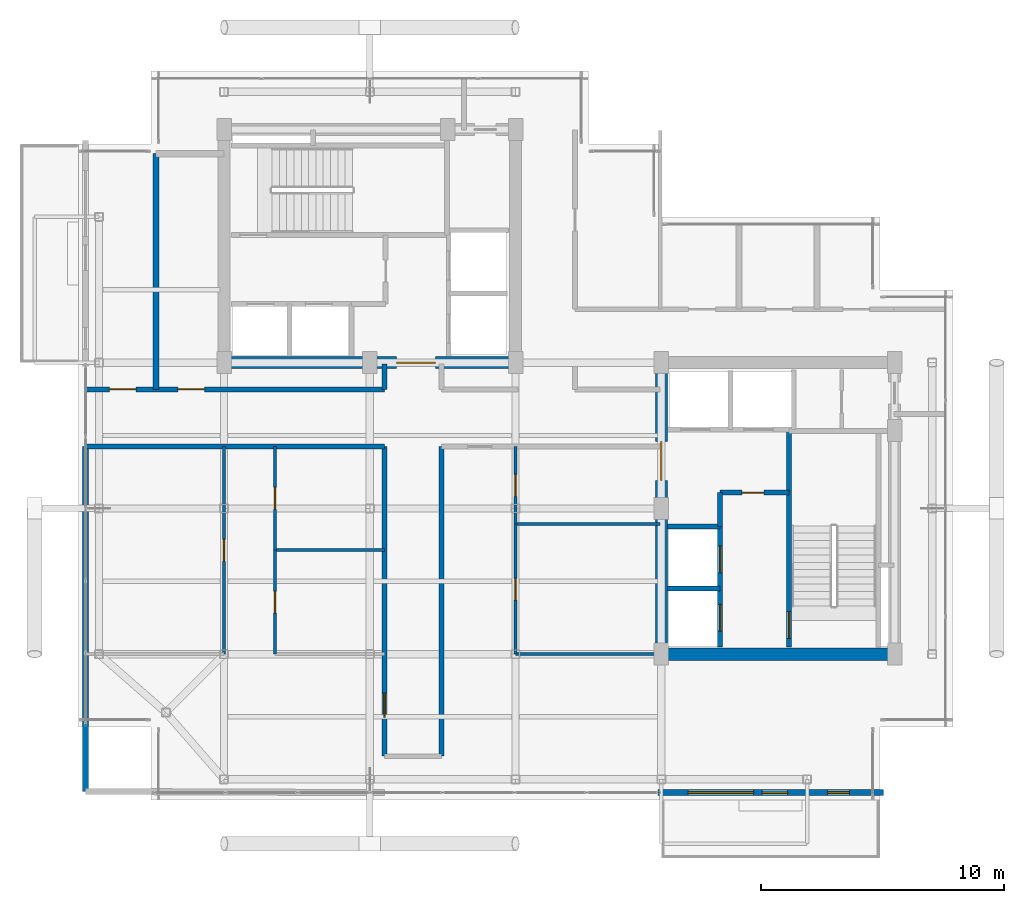
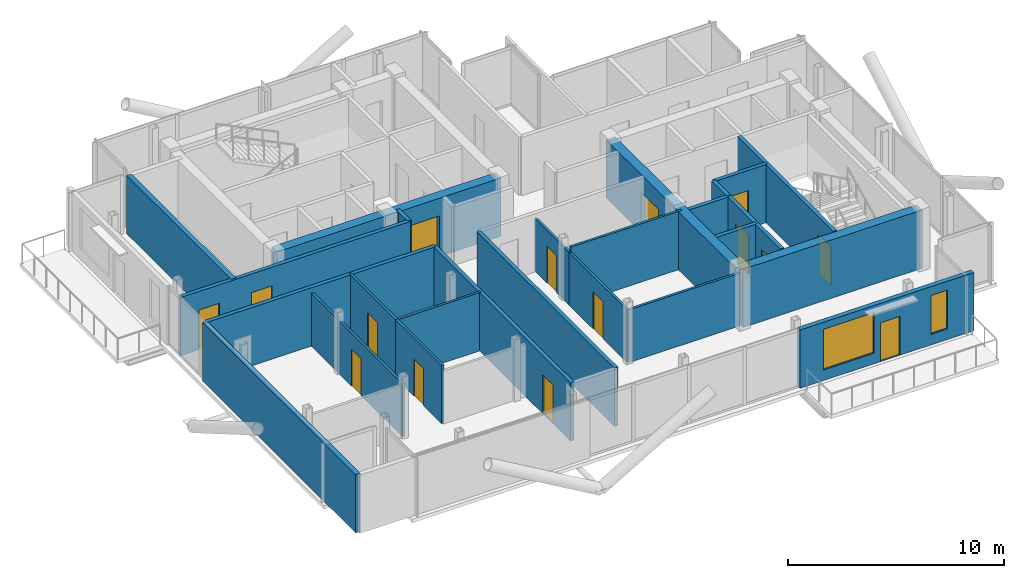
# One storey, part 14 of 18: 25 walls, 15 doors, 2 windows, 17 openings.
"""IFC4 building model written with IfcOpenShell, lengths in metres."""

from ifc_helpers import new_model, si_unit, direction, frame, frame_2d, origin, place, context, subcontext, project, spatial, rectangle, extrude, material, layer, layer_set, type_object, element, fill, save


model = new_model("IFC4")

# Units and contexts
model_context = context("Model", 3, precision=1e-05, world=origin(), true_north=direction((0.0, 1.0)))
body_context = subcontext(model_context, "Body", "Model", "MODEL_VIEW")
ifc_project = project(units=[si_unit("LENGTHUNIT", "METRE"), si_unit("AREAUNIT", "SQUARE_METRE"), si_unit("VOLUMEUNIT", "CUBIC_METRE"), si_unit("PLANEANGLEUNIT", "RADIAN"), si_unit("MASSUNIT", "GRAM", prefix="KILO"), si_unit("THERMODYNAMICTEMPERATUREUNIT", "KELVIN"), si_unit("POWERUNIT", "WATT")], contexts=[model_context])

# Site, building, storey
site_placement = place(None, origin())
site = spatial("IfcSite", under=ifc_project, at=site_placement, CompositionType="ELEMENT")
building_placement = place(site_placement, origin())
building = spatial("IfcBuilding", under=site, at=building_placement, Name="Svarakhadi Broadcast Tower", CompositionType="ELEMENT")
storey_placement = place(building_placement, frame((0.0, 0.0, 246.699951171875)))
storey = spatial("IfcBuildingStorey", under=building, at=storey_placement, Name="L61", CompositionType="ELEMENT", Elevation=246.699951171875)

# Wall, opening, door
ifc_material_1 = material(Name="Double-Stud Acoustic Studio Partition STC-62", Category="gypsum")
ifc_layer_1 = layer(ifc_material_1, 0.199951171875)
ifc_layer_set_1 = layer_set([ifc_layer_1], Name="Double-Stud Acoustic Studio Partition STC-62")
wall_type_1 = type_object("IfcWallType", Name="Wall_Acoust_200", PredefinedType="PARTITIONING", material=ifc_layer_set_1)
wall_1_placement = place(storey_placement, frame((12.60009765625, 1.800048828125, 0.0), z_axis=(0.0, 0.0, 1.0), x_axis=(0.0, 1.0, 0.0)))
wall_1 = element("IfcWall", 1, at=wall_1_placement, inside=storey, type_object=wall_type_1, Name="L61 Upper Tower Concourse Wall", PredefinedType="PARTITIONING", context=body_context, shape_type="SweptSolid", body=[
    extrude(rectangle(XDim=12.75, YDim=0.199951171875, at=frame_2d((6.375, 0.0))), origin(), (0.0, 0.0, 1.0), 3.300048828125),
])
opening_1_placement = place(wall_1_placement, frame((1.60009765625, 0.0, 0.0)))
opening_1 = element("IfcOpeningElement", 2, at=opening_1_placement, cuts=wall_1, Name="Opening D-09", PredefinedType="OPENING", context=body_context, shape_type="SweptSolid", body=[
    extrude(rectangle(XDim=1.0, YDim=2.199951171875, at=frame_2d((0.5, 1.10009765625))), frame((0.0, 0.10986328125, 0.0), z_axis=(0.0, -1.0, 0.0), x_axis=(1.0, 0.0, 0.0)), (0.0, 0.0, 1.0), 0.219970703125),
])
ifc_material_2 = material(Name="Solid-Core Teak Veneer Acoustic Timber Leaf", Category="wood")
door_type_1 = type_object("IfcDoorType", Name="Door_Suite_D09", OperationType="SINGLE_SWING_RIGHT", PredefinedType="DOOR", material=ifc_material_2)
door_1_placement = place(opening_1_placement, origin())
door_1 = element("IfcDoor", 3, at=door_1_placement, inside=storey, type_object=door_type_1, Name="L61 Apartment A Entrance Door", OperationType="SINGLE_SWING_RIGHT", OverallHeight=2.199951171875, OverallWidth=1.0, PredefinedType="DOOR", context=body_context, shape_type="SweptSolid", body=[
    extrude(rectangle(XDim=1.0, YDim=2.199951171875, at=frame_2d((0.5, 1.10009765625))), frame((0.0, 0.02490234375, 0.0), z_axis=(0.0, -1.0, 0.0), x_axis=(1.0, 0.0, 0.0)), (0.0, 0.0, 1.0), 0.050048828125),
])
fill(opening_1, door_1)

# Wall
wall_2_placement = place(storey_placement, frame((12.60009765625, 14.550048828125, 0.0), z_axis=(0.0, 0.0, 1.0), x_axis=(-1.0, 0.0, 0.0)))
element("IfcWall", 4, at=wall_2_placement, inside=storey, type_object=wall_type_1, Name="L61 Upper Tower Concourse Wall", PredefinedType="PARTITIONING", context=body_context, shape_type="SweptSolid", body=[
    extrude(rectangle(XDim=12.300048828125, YDim=0.199951171875, at=frame_2d((6.14990234375, 0.0))), origin(), (0.0, 0.0, 1.0), 3.300048828125),
])

# Wall, openings, doors
wall_3_placement = place(storey_placement, frame((0.300048828125, 16.89990234375, 0.0), z_axis=(0.0, 0.0, 1.0), x_axis=(1.0, 0.0, 0.0)))
wall_3 = element("IfcWall", 5, at=wall_3_placement, inside=storey, type_object=wall_type_1, Name="L61 Upper Tower Concourse Wall", PredefinedType="PARTITIONING", context=body_context, shape_type="SweptSolid", body=[
    extrude(rectangle(XDim=12.300048828125, YDim=0.199951171875, at=frame_2d((6.14990234375, 0.0))), origin(), (0.0, 0.0, 1.0), 3.300048828125),
])
opening_2_placement = place(wall_3_placement, frame((0.97509765625, 0.0, 0.0)))
opening_2 = element("IfcOpeningElement", 6, at=opening_2_placement, cuts=wall_3, Name="Opening D-11", PredefinedType="OPENING", context=body_context, shape_type="SweptSolid", body=[
    extrude(rectangle(XDim=1.10009765625, YDim=2.25, at=frame_2d((0.550048828125, 1.125))), frame((0.0, 0.10986328125, 0.0), z_axis=(0.0, -1.0, 0.0), x_axis=(1.0, 0.0, 0.0)), (0.0, 0.0, 1.0), 0.219970703125),
])
opening_3_placement = place(wall_3_placement, frame((3.800048828125, 0.0, 0.0)))
opening_3 = element("IfcOpeningElement", 7, at=opening_3_placement, cuts=wall_3, Name="Opening D-10", PredefinedType="OPENING", context=body_context, shape_type="SweptSolid", body=[
    extrude(rectangle(XDim=1.10009765625, YDim=2.25, at=frame_2d((0.550048828125, 1.125))), frame((0.0, 0.10986328125, 0.0), z_axis=(0.0, -1.0, 0.0), x_axis=(1.0, 0.0, 0.0)), (0.0, 0.0, 1.0), 0.219970703125),
])
door_type_2 = type_object("IfcDoorType", Name="Door_Acoust_D10", OperationType="SINGLE_SWING_LEFT", PredefinedType="DOOR", material=ifc_material_2)
door_2_placement = place(opening_3_placement, origin())
door_2 = element("IfcDoor", 8, at=door_2_placement, inside=storey, type_object=door_type_2, Name="L61 Residents Study Office Door", OperationType="SINGLE_SWING_LEFT", OverallHeight=2.25, OverallWidth=1.10009765625, PredefinedType="DOOR", context=body_context, shape_type="SweptSolid", body=[
    extrude(rectangle(XDim=1.10009765625, YDim=2.25, at=frame_2d((0.550048828125, 1.125))), frame((0.0, 0.02490234375, 0.0), z_axis=(0.0, -1.0, 0.0), x_axis=(1.0, 0.0, 0.0)), (0.0, 0.0, 1.0), 0.050048828125),
])
fill(opening_3, door_2)
door_type_3 = type_object("IfcDoorType", Name="Door_Acoust_D11", OperationType="SINGLE_SWING_RIGHT", PredefinedType="DOOR", material=ifc_material_2)
door_3_placement = place(opening_2_placement, origin())
door_3 = element("IfcDoor", 9, at=door_3_placement, inside=storey, type_object=door_type_3, Name="L61 Setback Garden Residents Lounge Door", OperationType="SINGLE_SWING_RIGHT", OverallHeight=2.25, OverallWidth=1.10009765625, PredefinedType="DOOR", context=body_context, shape_type="SweptSolid", body=[
    extrude(rectangle(XDim=1.10009765625, YDim=2.25, at=frame_2d((0.550048828125, 1.125))), frame((0.0, 0.02490234375, 0.0), z_axis=(0.0, -1.0, 0.0), x_axis=(1.0, 0.0, 0.0)), (0.0, 0.0, 1.0), 0.050048828125),
])
fill(opening_2, door_3)

# Walls
wall_4_placement = place(storey_placement, frame((12.60009765625, 16.89990234375, 0.0), z_axis=(0.0, 0.0, 1.0), x_axis=(0.0, 1.0, 0.0)))
element("IfcWall", 10, at=wall_4_placement, inside=storey, type_object=wall_type_1, Name="L61 Upper Tower Concourse Wall", PredefinedType="PARTITIONING", context=body_context, shape_type="SweptSolid", body=[
    extrude(rectangle(XDim=1.050048828125, YDim=0.199951171875, at=frame_2d((0.52490234375, 0.0))), origin(), (0.0, 0.0, 1.0), 3.300048828125),
])
wall_5_placement = place(storey_placement, frame((14.949951171875, 14.550048828125, 0.0), z_axis=(0.0, 0.0, 1.0), x_axis=(0.0, -1.0, 0.0)))
element("IfcWall", 11, at=wall_5_placement, inside=storey, type_object=wall_type_1, Name="L61 Upper Tower Concourse Wall", PredefinedType="PARTITIONING", context=body_context, shape_type="SweptSolid", body=[
    extrude(rectangle(XDim=12.75, YDim=0.199951171875, at=frame_2d((6.375, 0.0))), origin(), (0.0, 0.0, 1.0), 3.300048828125),
])
ifc_layer_2 = layer(ifc_material_1, 0.25)
ifc_layer_set_2 = layer_set([ifc_layer_2], Name="Double-Stud Acoustic Studio Partition STC-62")
wall_type_2 = type_object("IfcWallType", Name="Wall_Acoust_250", PredefinedType="PARTITIONING", material=ifc_layer_set_2)
wall_6_placement = place(storey_placement, frame((0.300048828125, 0.35009765625, 0.0), z_axis=(0.0, 0.0, 1.0), x_axis=(0.0, 1.0, 0.0)))
element("IfcWall", 12, at=wall_6_placement, inside=storey, type_object=wall_type_2, Name="L61 Apartment A Wall", PredefinedType="PARTITIONING", context=body_context, shape_type="SweptSolid", body=[
    extrude(rectangle(XDim=14.199951171875, YDim=0.25, at=frame_2d((7.10009765625, 0.0))), origin(), (0.0, 0.0, 1.0), 3.300048828125),
])
wall_7_placement = place(storey_placement, frame((3.199951171875, 16.89990234375, 0.0), z_axis=(0.0, 0.0, 1.0), x_axis=(0.0, 1.0, 0.0)))
element("IfcWall", 13, at=wall_7_placement, inside=storey, type_object=wall_type_2, Name="L61 Setback Garden Residents Lounge Wall", PredefinedType="PARTITIONING", context=body_context, shape_type="SweptSolid", body=[
    extrude(rectangle(XDim=9.7001953125, YDim=0.25, at=frame_2d((4.85009765625, 0.0))), origin(), (0.0, 0.0, 1.0), 3.300048828125),
])

# Wall, openings, door, windows
ifc_material_3 = material(Name="Concrete C40/50 (IS 456 M50)", Category="concrete")
ifc_layer_3 = layer(ifc_material_3, 0.239990234375)
ifc_layer_set_3 = layer_set([ifc_layer_3], Name="Concrete C40/50 (IS 456 M50)")
wall_type_3 = type_object("IfcWallType", Name="Wall_Ext_240", PredefinedType="SOLIDWALL", material=ifc_layer_set_3)
wall_8_placement = place(storey_placement, frame((33.14501953125, 0.300048828125, 0.0), z_axis=(0.0, 0.0, 1.0), x_axis=(-1.0, 0.0, 0.0)))
wall_8 = element("IfcWall", 14, at=wall_8_placement, inside=storey, type_object=wall_type_3, Name="L61 South Tree Balcony Spandrel Wall", PredefinedType="SOLIDWALL", context=body_context, shape_type="SweptSolid", body=[
    extrude(rectangle(XDim=9.2900390625, YDim=0.239990234375, at=frame_2d((4.64501953125, 0.0))), origin(), (0.0, 0.0, 1.0), 3.300048828125),
])
opening_4_placement = place(wall_8_placement, frame((3.945068359375, 0.0, 0.0)))
opening_4 = element("IfcOpeningElement", 15, at=opening_4_placement, cuts=wall_8, Name="Opening ED-05", PredefinedType="OPENING", context=body_context, shape_type="SweptSolid", body=[
    extrude(rectangle(XDim=1.050048828125, YDim=2.199951171875, at=frame_2d((0.52490234375, 1.10009765625))), frame((0.0, 0.1298828125, 0.0), z_axis=(0.0, -1.0, 0.0), x_axis=(1.0, 0.0, 0.0)), (0.0, 0.0, 1.0), 0.260009765625),
])
opening_5_placement = place(wall_8_placement, frame((5.344970703125, 0.0, 0.60009765625)))
opening_5 = element("IfcOpeningElement", 16, at=opening_5_placement, cuts=wall_8, Name="Opening WN-07", PredefinedType="OPENING", context=body_context, shape_type="SweptSolid", body=[
    extrude(rectangle(XDim=2.699951171875, YDim=2.300048828125, at=frame_2d((1.35009765625, 1.14990234375))), frame((0.0, 0.1298828125, 0.0), z_axis=(0.0, -1.0, 0.0), x_axis=(1.0, 0.0, 0.0)), (0.0, 0.0, 1.0), 0.260009765625),
])
opening_6_placement = place(wall_8_placement, frame((1.39990234375, 0.0, 0.60009765625)))
opening_6 = element("IfcOpeningElement", 17, at=opening_6_placement, cuts=wall_8, Name="Opening WN-04", PredefinedType="OPENING", context=body_context, shape_type="SweptSolid", body=[
    extrude(rectangle(XDim=0.89990234375, YDim=2.199951171875, at=frame_2d((0.449951171875, 1.10009765625))), frame((0.0, 0.1298828125, 0.0), z_axis=(0.0, -1.0, 0.0), x_axis=(1.0, 0.0, 0.0)), (0.0, 0.0, 1.0), 0.260009765625),
])
ifc_material_4 = material(Name="Anodised Bronze Aluminium AA 6063-T6", Category="aluminium")
door_type_4 = type_object("IfcDoorType", Name="Door_Ext_ED05", OperationType="SINGLE_SWING_LEFT", PredefinedType="DOOR", material=ifc_material_4)
door_4_placement = place(opening_4_placement, origin())
door_4 = element("IfcDoor", 18, at=door_4_placement, inside=storey, type_object=door_type_4, Name="L61 South Tree Balcony Door", OperationType="SINGLE_SWING_LEFT", OverallHeight=2.199951171875, OverallWidth=1.050048828125, PredefinedType="DOOR", context=body_context, shape_type="SweptSolid", body=[
    extrude(rectangle(XDim=1.050048828125, YDim=2.199951171875, at=frame_2d((0.52490234375, 1.10009765625))), frame((0.0, 0.02490234375, 0.0), z_axis=(0.0, -1.0, 0.0), x_axis=(1.0, 0.0, 0.0)), (0.0, 0.0, 1.0), 0.050048828125),
])
fill(opening_4, door_4)
ifc_material_5 = material(Name="Double Low-E Laminated Acoustic Glass IGU 36 mm", Category="glass")
window_type_1 = type_object("IfcWindowType", Name="Win_Resi_WN07", PartitioningType="SINGLE_PANEL", PredefinedType="WINDOW", material=ifc_material_5)
window_1_placement = place(opening_5_placement, origin())
window_1 = element("IfcWindow", 19, at=window_1_placement, inside=storey, type_object=window_type_1, Name="L61 South Tree Balcony Window", OverallHeight=2.300048828125, OverallWidth=2.699951171875, PartitioningType="SINGLE_PANEL", PredefinedType="WINDOW", context=body_context, shape_type="SweptSolid", body=[
    extrude(rectangle(XDim=2.699951171875, YDim=2.300048828125, at=frame_2d((1.35009765625, 1.14990234375))), frame((0.0, 0.030029296875, 0.0), z_axis=(0.0, -1.0, 0.0), x_axis=(1.0, 0.0, 0.0)), (0.0, 0.0, 1.0), 0.06005859375),
])
fill(opening_5, window_1)
window_type_2 = type_object("IfcWindowType", Name="Win_Slot_WN04", PartitioningType="SINGLE_PANEL", PredefinedType="WINDOW", material=ifc_material_5)
window_2_placement = place(opening_6_placement, origin())
window_2 = element("IfcWindow", 20, at=window_2_placement, inside=storey, type_object=window_type_2, Name="L61 South Primary Bedroom Slot Window", OverallHeight=2.199951171875, OverallWidth=0.89990234375, PartitioningType="SINGLE_PANEL", PredefinedType="WINDOW", context=body_context, shape_type="SweptSolid", body=[
    extrude(rectangle(XDim=0.89990234375, YDim=2.199951171875, at=frame_2d((0.449951171875, 1.10009765625))), frame((0.0, 0.030029296875, 0.0), z_axis=(0.0, -1.0, 0.0), x_axis=(1.0, 0.0, 0.0)), (0.0, 0.0, 1.0), 0.06005859375),
])
fill(opening_6, window_2)

# Wall
ifc_material_6 = material(Name="Fire-Rated Moisture-Resistant Gypsum Board Partition", Category="gypsum")
ifc_layer_4 = layer(ifc_material_6, 0.125)
ifc_layer_set_4 = layer_set([ifc_layer_4], Name="Fire-Rated Moisture-Resistant Gypsum Board Partition")
wall_type_4 = type_object("IfcWallType", Name="Wall_Part_125", PredefinedType="PARTITIONING", material=ifc_layer_set_4)
wall_9_placement = place(storey_placement, frame((8.10009765625, 10.280029296875, 0.0), z_axis=(0.0, 0.0, 1.0), x_axis=(1.0, 0.0, 0.0)))
element("IfcWall", 21, at=wall_9_placement, inside=storey, type_object=wall_type_4, Name="L61 Apartment A Kitchen Wall", PredefinedType="PARTITIONING", context=body_context, shape_type="SweptSolid", body=[
    extrude(rectangle(XDim=4.5, YDim=0.125, at=frame_2d((2.25, 0.0))), origin(), (0.0, 0.0, 1.0), 3.300048828125),
])

# Wall, opening, door
wall_10_placement = place(storey_placement, frame((8.10009765625, 6.0, 0.0), z_axis=(0.0, 0.0, 1.0), x_axis=(0.0, 1.0, 0.0)))
wall_10 = element("IfcWall", 22, at=wall_10_placement, inside=storey, type_object=wall_type_4, Name="L61 Apartment A Kitchen Wall", PredefinedType="PARTITIONING", context=body_context, shape_type="SweptSolid", body=[
    extrude(rectangle(XDim=4.280029296875, YDim=0.125, at=frame_2d((2.14013671875, 0.0))), origin(), (0.0, 0.0, 1.0), 3.300048828125),
])
opening_7_placement = place(wall_10_placement, frame((1.68994140625, 0.0, 0.0)))
opening_7 = element("IfcOpeningElement", 23, at=opening_7_placement, cuts=wall_10, Name="Opening D-15", PredefinedType="OPENING", context=body_context, shape_type="SweptSolid", body=[
    extrude(rectangle(XDim=0.89990234375, YDim=2.10009765625, at=frame_2d((0.449951171875, 1.050048828125))), frame((0.0, 0.072509765625, 0.0), z_axis=(0.0, -1.0, 0.0), x_axis=(1.0, 0.0, 0.0)), (0.0, 0.0, 1.0), 0.14501953125),
])
door_type_5 = type_object("IfcDoorType", Name="Door_Int_D15", OperationType="SINGLE_SWING_RIGHT", PredefinedType="DOOR", material=ifc_material_2)
door_5_placement = place(opening_7_placement, origin())
door_5 = element("IfcDoor", 24, at=door_5_placement, inside=storey, type_object=door_type_5, Name="L61 Apartment A Kitchen Door", OperationType="SINGLE_SWING_RIGHT", OverallHeight=2.10009765625, OverallWidth=0.89990234375, PredefinedType="DOOR", context=body_context, shape_type="SweptSolid", body=[
    extrude(rectangle(XDim=0.89990234375, YDim=2.10009765625, at=frame_2d((0.449951171875, 1.050048828125))), frame((0.0, 0.02490234375, 0.0), z_axis=(0.0, -1.0, 0.0), x_axis=(1.0, 0.0, 0.0)), (0.0, 0.0, 1.0), 0.050048828125),
])
fill(opening_7, door_5)

wall_11_placement = place(storey_placement, frame((8.10009765625, 10.280029296875, 0.0), z_axis=(0.0, 0.0, 1.0), x_axis=(0.0, 1.0, 0.0)))
wall_11 = element("IfcWall", 25, at=wall_11_placement, inside=storey, type_object=wall_type_4, Name="L61 Apartment A Bathroom Wall", PredefinedType="PARTITIONING", context=body_context, shape_type="SweptSolid", body=[
    extrude(rectangle(XDim=4.27001953125, YDim=0.125, at=frame_2d((2.135009765625, 0.0))), origin(), (0.0, 0.0, 1.0), 3.300048828125),
])
opening_8_placement = place(wall_11_placement, frame((1.68505859375, 0.0, 0.0)))
opening_8 = element("IfcOpeningElement", 26, at=opening_8_placement, cuts=wall_11, Name="Opening D-12", PredefinedType="OPENING", context=body_context, shape_type="SweptSolid", body=[
    extrude(rectangle(XDim=0.89990234375, YDim=2.10009765625, at=frame_2d((0.449951171875, 1.050048828125))), frame((0.0, 0.072509765625, 0.0), z_axis=(0.0, -1.0, 0.0), x_axis=(1.0, 0.0, 0.0)), (0.0, 0.0, 1.0), 0.14501953125),
])
door_type_6 = type_object("IfcDoorType", Name="Door_WC_D01", OperationType="SINGLE_SWING_LEFT", PredefinedType="DOOR", material=ifc_material_2)
door_6_placement = place(opening_8_placement, origin())
door_6 = element("IfcDoor", 27, at=door_6_placement, inside=storey, type_object=door_type_6, Name="L61 Apartment A Bathroom Door", OperationType="SINGLE_SWING_LEFT", OverallHeight=2.10009765625, OverallWidth=0.89990234375, PredefinedType="DOOR", context=body_context, shape_type="SweptSolid", body=[
    extrude(rectangle(XDim=0.89990234375, YDim=2.10009765625, at=frame_2d((0.449951171875, 1.050048828125))), frame((0.0, 0.02490234375, 0.0), z_axis=(0.0, -1.0, 0.0), x_axis=(1.0, 0.0, 0.0)), (0.0, 0.0, 1.0), 0.050048828125),
])
fill(opening_8, door_6)

wall_12_placement = place(storey_placement, frame((6.0, 6.0, 0.0), z_axis=(0.0, 0.0, 1.0), x_axis=(0.0, 1.0, 0.0)))
wall_12 = element("IfcWall", 28, at=wall_12_placement, inside=storey, type_object=wall_type_4, Name="L61 Apartment A Primary Bedroom Wall", PredefinedType="PARTITIONING", context=body_context, shape_type="SweptSolid", body=[
    extrude(rectangle(XDim=8.550048828125, YDim=0.125, at=frame_2d((4.27490234375, 0.0))), origin(), (0.0, 0.0, 1.0), 2.991943359375),
])
opening_9_placement = place(wall_12_placement, frame((3.824951171875, 0.0, 0.0)))
opening_9 = element("IfcOpeningElement", 29, at=opening_9_placement, cuts=wall_12, Name="Opening D-14", PredefinedType="OPENING", context=body_context, shape_type="SweptSolid", body=[
    extrude(rectangle(XDim=0.89990234375, YDim=2.10009765625, at=frame_2d((0.449951171875, 1.050048828125))), frame((0.0, 0.072509765625, 0.0), z_axis=(0.0, -1.0, 0.0), x_axis=(1.0, 0.0, 0.0)), (0.0, 0.0, 1.0), 0.14501953125),
])
door_type_7 = type_object("IfcDoorType", Name="Door_Int_D14", OperationType="SINGLE_SWING_LEFT", PredefinedType="DOOR", material=ifc_material_2)
door_7_placement = place(opening_9_placement, origin())
door_7 = element("IfcDoor", 30, at=door_7_placement, inside=storey, type_object=door_type_7, Name="L61 Apartment A Bedroom Door", OperationType="SINGLE_SWING_LEFT", OverallHeight=2.10009765625, OverallWidth=0.89990234375, PredefinedType="DOOR", context=body_context, shape_type="SweptSolid", body=[
    extrude(rectangle(XDim=0.89990234375, YDim=2.10009765625, at=frame_2d((0.449951171875, 1.050048828125))), frame((0.0, 0.02490234375, 0.0), z_axis=(0.0, -1.0, 0.0), x_axis=(1.0, 0.0, 0.0)), (0.0, 0.0, 1.0), 0.050048828125),
])
fill(opening_9, door_7)

# Walls
wall_13_placement = place(storey_placement, frame((18.0, 6.0, 0.0), z_axis=(0.0, 0.0, 1.0), x_axis=(1.0, 0.0, 0.0)))
element("IfcWall", 31, at=wall_13_placement, inside=storey, type_object=wall_type_4, Name="L61 Studio B Kitchen Wall", PredefinedType="PARTITIONING", context=body_context, shape_type="SweptSolid", body=[
    extrude(rectangle(XDim=5.949951171875, YDim=0.125, at=frame_2d((2.97509765625, 0.0))), origin(), (0.0, 0.0, 1.0), 2.991943359375),
])
wall_14_placement = place(storey_placement, frame((18.0, 11.35009765625, 0.0), z_axis=(0.0, 0.0, 1.0), x_axis=(1.0, 0.0, 0.0)))
element("IfcWall", 32, at=wall_14_placement, inside=storey, type_object=wall_type_4, Name="L61 Studio B Kitchen Wall", PredefinedType="PARTITIONING", context=body_context, shape_type="SweptSolid", body=[
    extrude(rectangle(XDim=5.949951171875, YDim=0.125, at=frame_2d((2.97509765625, 0.0))), origin(), (0.0, 0.0, 1.0), 3.300048828125),
])

# Wall, opening, door
wall_15_placement = place(storey_placement, frame((18.0, 6.0, 0.0), z_axis=(0.0, 0.0, 1.0), x_axis=(0.0, 1.0, 0.0)))
wall_15 = element("IfcWall", 33, at=wall_15_placement, inside=storey, type_object=wall_type_4, Name="L61 Studio B Kitchen Wall", PredefinedType="PARTITIONING", context=body_context, shape_type="SweptSolid", body=[
    extrude(rectangle(XDim=5.35009765625, YDim=0.125, at=frame_2d((2.675048828125, 0.0))), origin(), (0.0, 0.0, 1.0), 2.991943359375),
])
opening_10_placement = place(wall_15_placement, frame((2.22509765625, 0.0, 0.0)))
opening_10 = element("IfcOpeningElement", 34, at=opening_10_placement, cuts=wall_15, Name="Opening D-14", PredefinedType="OPENING", context=body_context, shape_type="SweptSolid", body=[
    extrude(rectangle(XDim=0.89990234375, YDim=2.10009765625, at=frame_2d((0.449951171875, 1.050048828125))), frame((0.0, 0.072509765625, 0.0), z_axis=(0.0, -1.0, 0.0), x_axis=(1.0, 0.0, 0.0)), (0.0, 0.0, 1.0), 0.14501953125),
])
door_8_placement = place(opening_10_placement, origin())
door_8 = element("IfcDoor", 35, at=door_8_placement, inside=storey, type_object=door_type_7, Name="L61 Studio B Kitchen Door", OperationType="SINGLE_SWING_LEFT", OverallHeight=2.10009765625, OverallWidth=0.89990234375, PredefinedType="DOOR", context=body_context, shape_type="SweptSolid", body=[
    extrude(rectangle(XDim=0.89990234375, YDim=2.10009765625, at=frame_2d((0.449951171875, 1.050048828125))), frame((0.0, 0.02490234375, 0.0), z_axis=(0.0, -1.0, 0.0), x_axis=(1.0, 0.0, 0.0)), (0.0, 0.0, 1.0), 0.050048828125),
])
fill(opening_10, door_8)

wall_16_placement = place(storey_placement, frame((18.0, 11.35009765625, 0.0), z_axis=(0.0, 0.0, 1.0), x_axis=(0.0, 1.0, 0.0)))
wall_16 = element("IfcWall", 36, at=wall_16_placement, inside=storey, type_object=wall_type_4, Name="L61 Studio B Bathroom Wall", PredefinedType="PARTITIONING", context=body_context, shape_type="SweptSolid", body=[
    extrude(rectangle(XDim=3.199951171875, YDim=0.125, at=frame_2d((1.60009765625, 0.0))), origin(), (0.0, 0.0, 1.0), 2.991943359375),
])
opening_11_placement = place(wall_16_placement, frame((1.14990234375, 0.0, 0.0)))
opening_11 = element("IfcOpeningElement", 37, at=opening_11_placement, cuts=wall_16, Name="Opening D-13", PredefinedType="OPENING", context=body_context, shape_type="SweptSolid", body=[
    extrude(rectangle(XDim=0.89990234375, YDim=2.10009765625, at=frame_2d((0.449951171875, 1.050048828125))), frame((0.0, 0.072509765625, 0.0), z_axis=(0.0, -1.0, 0.0), x_axis=(1.0, 0.0, 0.0)), (0.0, 0.0, 1.0), 0.14501953125),
])
door_type_8 = type_object("IfcDoorType", Name="Door_Closet_D13", OperationType="SINGLE_SWING_RIGHT", PredefinedType="DOOR", material=ifc_material_2)
door_9_placement = place(opening_11_placement, origin())
door_9 = element("IfcDoor", 38, at=door_9_placement, inside=storey, type_object=door_type_8, Name="L61 Studio B Bathroom Door", OperationType="SINGLE_SWING_RIGHT", OverallHeight=2.10009765625, OverallWidth=0.89990234375, PredefinedType="DOOR", context=body_context, shape_type="SweptSolid", body=[
    extrude(rectangle(XDim=0.89990234375, YDim=2.10009765625, at=frame_2d((0.449951171875, 1.050048828125))), frame((0.0, 0.02490234375, 0.0), z_axis=(0.0, -1.0, 0.0), x_axis=(1.0, 0.0, 0.0)), (0.0, 0.0, 1.0), 0.050048828125),
])
fill(opening_11, door_9)

ifc_material_7 = material(Name="Concrete C50/60 (IS 456 M60)", Category="concrete")
ifc_layer_5 = layer(ifc_material_7, 0.199951171875)
ifc_layer_set_5 = layer_set([ifc_layer_5], Name="Concrete C50/60 (IS 456 M60)")
wall_type_5 = type_object("IfcWallType", Name="Wall_Shear_200", PredefinedType="SHEAR", material=ifc_layer_set_5)
wall_17_placement = place(storey_placement, frame((29.260009765625, 6.300048828125, 0.0), z_axis=(0.0, 0.0, 1.0), x_axis=(0.0, 1.0, 0.0)))
wall_17 = element("IfcWall", 39, at=wall_17_placement, inside=storey, type_object=wall_type_5, Name="L61 Stair ST-02 West RC Shaft Wall", PredefinedType="SHEAR", context=body_context, shape_type="SweptSolid", body=[
    extrude(rectangle(XDim=8.8798828125, YDim=0.199951171875, at=frame_2d((4.43994140625, 0.0))), origin(), (0.0, 0.0, 1.0), 3.300048828125),
])
opening_12_placement = place(wall_17_placement, frame((0.35009765625, 0.0, 0.0)))
opening_12 = element("IfcOpeningElement", 40, at=opening_12_placement, cuts=wall_17, Name="Opening D-02", PredefinedType="OPENING", context=body_context, shape_type="SweptSolid", body=[
    extrude(rectangle(XDim=1.10009765625, YDim=2.199951171875, at=frame_2d((0.550048828125, 1.10009765625))), frame((0.0, 0.10986328125, 0.0), z_axis=(0.0, -1.0, 0.0), x_axis=(1.0, 0.0, 0.0)), (0.0, 0.0, 1.0), 0.219970703125),
])
ifc_material_8 = material(Name="Galvanised Powder-Coated Fire-Rated Steel Leaf", Category="steel")
door_type_9 = type_object("IfcDoorType", Name="Door_Stair_D02", OperationType="SINGLE_SWING_RIGHT", PredefinedType="DOOR", material=ifc_material_8)
door_10_placement = place(opening_12_placement, origin())
door_10 = element("IfcDoor", 41, at=door_10_placement, inside=storey, type_object=door_type_9, Name="L61 Protected Exit Stair ST-02 Fire Door", OperationType="SINGLE_SWING_RIGHT", OverallHeight=2.199951171875, OverallWidth=1.10009765625, PredefinedType="DOOR", context=body_context, shape_type="SweptSolid", body=[
    extrude(rectangle(XDim=1.10009765625, YDim=2.199951171875, at=frame_2d((0.550048828125, 1.10009765625))), frame((0.0, 0.02490234375, 0.0), z_axis=(0.0, -1.0, 0.0), x_axis=(1.0, 0.0, 0.0)), (0.0, 0.0, 1.0), 0.050048828125),
])
fill(opening_12, door_10)

# Wall, openings, doors
wall_18_placement = place(storey_placement, frame((26.419921875, 6.300048828125, 0.0), z_axis=(0.0, 0.0, 1.0), x_axis=(0.0, 1.0, 0.0)))
wall_18 = element("IfcWall", 42, at=wall_18_placement, inside=storey, type_object=wall_type_5, Name="L61 Firefighting Lift LF-03/04 Shaft Wall", PredefinedType="SHEAR", context=body_context, shape_type="SweptSolid", body=[
    extrude(rectangle(XDim=4.949951171875, YDim=0.199951171875, at=frame_2d((2.47509765625, 0.0))), origin(), (0.0, 0.0, 1.0), 3.300048828125),
])
opening_13_placement = place(wall_18_placement, frame((0.64990234375, 0.0, 0.0)))
opening_13 = element("IfcOpeningElement", 43, at=opening_13_placement, cuts=wall_18, Name="Opening LD-01", PredefinedType="OPENING", context=body_context, shape_type="SweptSolid", body=[
    extrude(rectangle(XDim=1.10009765625, YDim=2.199951171875, at=frame_2d((0.550048828125, 1.10009765625))), frame((0.0, 0.10986328125, 0.0), z_axis=(0.0, -1.0, 0.0), x_axis=(1.0, 0.0, 0.0)), (0.0, 0.0, 1.0), 0.219970703125),
])
opening_14_placement = place(wall_18_placement, frame((3.050048828125, 0.0, 0.0)))
opening_14 = element("IfcOpeningElement", 44, at=opening_14_placement, cuts=wall_18, Name="Opening LD-01", PredefinedType="OPENING", context=body_context, shape_type="SweptSolid", body=[
    extrude(rectangle(XDim=1.10009765625, YDim=2.199951171875, at=frame_2d((0.550048828125, 1.10009765625))), frame((0.0, 0.10986328125, 0.0), z_axis=(0.0, -1.0, 0.0), x_axis=(1.0, 0.0, 0.0)), (0.0, 0.0, 1.0), 0.219970703125),
])
door_type_10 = type_object("IfcDoorType", Name="Door_Lift_LD01", OperationType="SLIDING_TO_LEFT", PredefinedType="DOOR", material=ifc_material_8)
door_11_placement = place(opening_13_placement, origin())
door_11 = element("IfcDoor", 45, at=door_11_placement, inside=storey, type_object=door_type_10, Name="L61 Firefighting Lift LF-03 Landing Door", OperationType="SLIDING_TO_LEFT", OverallHeight=2.199951171875, OverallWidth=1.10009765625, PredefinedType="DOOR", context=body_context, shape_type="SweptSolid", body=[
    extrude(rectangle(XDim=1.10009765625, YDim=2.199951171875, at=frame_2d((0.550048828125, 1.10009765625))), frame((0.0, 0.02490234375, 0.0), z_axis=(0.0, -1.0, 0.0), x_axis=(1.0, 0.0, 0.0)), (0.0, 0.0, 1.0), 0.050048828125),
])
fill(opening_13, door_11)
door_12_placement = place(opening_14_placement, origin())
door_12 = element("IfcDoor", 46, at=door_12_placement, inside=storey, type_object=door_type_10, Name="L61 Firefighting Lift LF-04 Landing Door", OperationType="SLIDING_TO_LEFT", OverallHeight=2.199951171875, OverallWidth=1.10009765625, PredefinedType="DOOR", context=body_context, shape_type="SweptSolid", body=[
    extrude(rectangle(XDim=1.10009765625, YDim=2.199951171875, at=frame_2d((0.550048828125, 1.10009765625))), frame((0.0, 0.02490234375, 0.0), z_axis=(0.0, -1.0, 0.0), x_axis=(1.0, 0.0, 0.0)), (0.0, 0.0, 1.0), 0.050048828125),
])
fill(opening_14, door_12)

# Walls
for number, where, z_axis, x_axis, name in (
    (47, (24.25, 8.699951171875, 0.0), (0.0, 0.0, 1.0), (1.0, 0.0, 0.0), "L61 Firefighting Lift LF-03/04 Divider Wall"),
    (48, (24.25, 11.25, 0.0), (0.0, 0.0, 1.0), (1.0, 0.0, 0.0), "L61 Firefighting Lift LF-04 North Wall"),
):
    element("IfcWall", number, at=place(storey_placement, frame(where, z_axis=z_axis, x_axis=x_axis)), inside=storey, type_object=wall_type_5, Name=name, PredefinedType="SHEAR", context=body_context, shape_type="SweptSolid", body=[
        extrude(rectangle(XDim=2.169921875, YDim=0.199951171875, at=frame_2d((1.0849609375, 0.0))), origin(), (0.0, 0.0, 1.0), 3.300048828125),
    ])
wall_19_placement = place(storey_placement, frame((26.419921875, 11.25, 0.0), z_axis=(0.0, 0.0, 1.0), x_axis=(0.0, 1.0, 0.0)))
element("IfcWall", 49, at=wall_19_placement, inside=storey, type_object=wall_type_5, Name="L61 East Firefighting Lobby West Wall", PredefinedType="SHEAR", context=body_context, shape_type="SweptSolid", body=[
    extrude(rectangle(XDim=1.39990234375, YDim=0.199951171875, at=frame_2d((0.699951171875, 0.0))), origin(), (0.0, 0.0, 1.0), 3.300048828125),
])

# Wall, opening, door
wall_20_placement = place(storey_placement, frame((26.419921875, 12.64990234375, 0.0), z_axis=(0.0, 0.0, 1.0), x_axis=(1.0, 0.0, 0.0)))
wall_20 = element("IfcWall", 50, at=wall_20_placement, inside=storey, type_object=wall_type_5, Name="L61 East Firefighting Lobby North Wall", PredefinedType="SHEAR", context=body_context, shape_type="SweptSolid", body=[
    extrude(rectangle(XDim=2.840087890625, YDim=0.199951171875, at=frame_2d((1.419921875, 0.0))), origin(), (0.0, 0.0, 1.0), 3.300048828125),
])
opening_15_placement = place(wall_20_placement, frame((0.89990234375, 0.0, 0.0)))
opening_15 = element("IfcOpeningElement", 51, at=opening_15_placement, cuts=wall_20, Name="Opening D-04", PredefinedType="OPENING", context=body_context, shape_type="SweptSolid", body=[
    extrude(rectangle(XDim=0.89990234375, YDim=2.14990234375, at=frame_2d((0.449951171875, 1.074951171875))), frame((0.0, 0.10986328125, 0.0), z_axis=(0.0, -1.0, 0.0), x_axis=(1.0, 0.0, 0.0)), (0.0, 0.0, 1.0), 0.219970703125),
])
door_type_11 = type_object("IfcDoorType", Name="Door_Fire_D04", OperationType="SINGLE_SWING_RIGHT", PredefinedType="DOOR", material=ifc_material_8)
door_13_placement = place(opening_15_placement, origin())
door_13 = element("IfcDoor", 52, at=door_13_placement, inside=storey, type_object=door_type_11, Name="L61 East Firefighting Lobby Fire Door", OperationType="SINGLE_SWING_RIGHT", OverallHeight=2.14990234375, OverallWidth=0.89990234375, PredefinedType="DOOR", context=body_context, shape_type="SweptSolid", body=[
    extrude(rectangle(XDim=0.89990234375, YDim=2.14990234375, at=frame_2d((0.449951171875, 1.074951171875))), frame((0.0, 0.02490234375, 0.0), z_axis=(0.0, -1.0, 0.0), x_axis=(1.0, 0.0, 0.0)), (0.0, 0.0, 1.0), 0.050048828125),
])
fill(opening_15, door_13)

ifc_layer_6 = layer(ifc_material_7, 0.5)
ifc_layer_set_6 = layer_set([ifc_layer_6], Name="Concrete C50/60 (IS 456 M60)")
wall_type_6 = type_object("IfcWallType", Name="Wall_Shear_500", PredefinedType="SHEAR", material=ifc_layer_set_6)
wall_21_placement = place(storey_placement, frame((6.0, 18.0, 0.0), z_axis=(0.0, 0.0, 1.0), x_axis=(1.0, 0.0, 0.0)))
wall_21 = element("IfcWall", 53, at=wall_21_placement, inside=storey, type_object=wall_type_6, Name="L61 West Core South Shear Wall", PredefinedType="SHEAR", context=body_context, shape_type="SweptSolid", body=[
    extrude(rectangle(XDim=12.0, YDim=0.5, at=frame_2d((6.0, 0.0))), origin(), (0.0, 0.0, 1.0), 3.300048828125),
])
opening_16_placement = place(wall_21_placement, frame((7.10009765625, 0.0, 0.0)))
opening_16 = element("IfcOpeningElement", 54, at=opening_16_placement, cuts=wall_21, Name="Opening D-05", PredefinedType="OPENING", context=body_context, shape_type="SweptSolid", body=[
    extrude(rectangle(XDim=1.60009765625, YDim=2.300048828125, at=frame_2d((0.800048828125, 1.14990234375))), frame((0.0, 0.260009765625, 0.0), z_axis=(0.0, -1.0, 0.0), x_axis=(1.0, 0.0, 0.0)), (0.0, 0.0, 1.0), 0.52001953125),
])
door_type_12 = type_object("IfcDoorType", Name="Door_Lobby_D05", OperationType="DOUBLE_DOOR_SLIDING", PredefinedType="DOOR", material=ifc_material_4)
door_14_placement = place(opening_16_placement, origin())
door_14 = element("IfcDoor", 55, at=door_14_placement, inside=storey, type_object=door_type_12, Name="L61 West Core Passenger Lift Lobby Entrance Door", OperationType="DOUBLE_DOOR_SLIDING", OverallHeight=2.300048828125, OverallWidth=1.60009765625, PredefinedType="DOOR", context=body_context, shape_type="SweptSolid", body=[
    extrude(rectangle(XDim=1.60009765625, YDim=2.300048828125, at=frame_2d((0.800048828125, 1.14990234375))), frame((0.0, 0.02490234375, 0.0), z_axis=(0.0, -1.0, 0.0), x_axis=(1.0, 0.0, 0.0)), (0.0, 0.0, 1.0), 0.050048828125),
])
fill(opening_16, door_14)

# Wall
wall_22_placement = place(storey_placement, frame((24.0, 6.0, 0.0), z_axis=(0.0, 0.0, 1.0), x_axis=(1.0, 0.0, 0.0)))
element("IfcWall", 56, at=wall_22_placement, inside=storey, type_object=wall_type_6, Name="L61 East Core South Shear Wall", PredefinedType="SHEAR", context=body_context, shape_type="SweptSolid", body=[
    extrude(rectangle(XDim=9.60009765625, YDim=0.5, at=frame_2d((4.800048828125, 0.0))), origin(), (0.0, 0.0, 1.0), 3.300048828125),
])

# Wall, opening, door
wall_23_placement = place(storey_placement, frame((24.0, 6.0, 0.0), z_axis=(0.0, 0.0, 1.0), x_axis=(0.0, 1.0, 0.0)))
wall_23 = element("IfcWall", 57, at=wall_23_placement, inside=storey, type_object=wall_type_6, Name="L61 East Core West Shear Wall", PredefinedType="SHEAR", context=body_context, shape_type="SweptSolid", body=[
    extrude(rectangle(XDim=12.0, YDim=0.5, at=frame_2d((6.0, 0.0))), origin(), (0.0, 0.0, 1.0), 3.300048828125),
])
opening_17_placement = place(wall_23_placement, frame((7.14990234375, 0.0, 0.0)))
opening_17 = element("IfcOpeningElement", 58, at=opening_17_placement, cuts=wall_23, Name="Opening D-05", PredefinedType="OPENING", context=body_context, shape_type="SweptSolid", body=[
    extrude(rectangle(XDim=1.60009765625, YDim=2.300048828125, at=frame_2d((0.800048828125, 1.14990234375))), frame((0.0, 0.260009765625, 0.0), z_axis=(0.0, -1.0, 0.0), x_axis=(1.0, 0.0, 0.0)), (0.0, 0.0, 1.0), 0.52001953125),
])
door_15_placement = place(opening_17_placement, origin())
door_15 = element("IfcDoor", 59, at=door_15_placement, inside=storey, type_object=door_type_12, Name="L61 East Core Passenger Lift Lobby Entrance Door", OperationType="DOUBLE_DOOR_SLIDING", OverallHeight=2.300048828125, OverallWidth=1.60009765625, PredefinedType="DOOR", context=body_context, shape_type="SweptSolid", body=[
    extrude(rectangle(XDim=1.60009765625, YDim=2.300048828125, at=frame_2d((0.800048828125, 1.14990234375))), frame((0.0, 0.02490234375, 0.0), z_axis=(0.0, -1.0, 0.0), x_axis=(1.0, 0.0, 0.0)), (0.0, 0.0, 1.0), 0.050048828125),
])
fill(opening_17, door_15)

save(model, "model.ifc")
